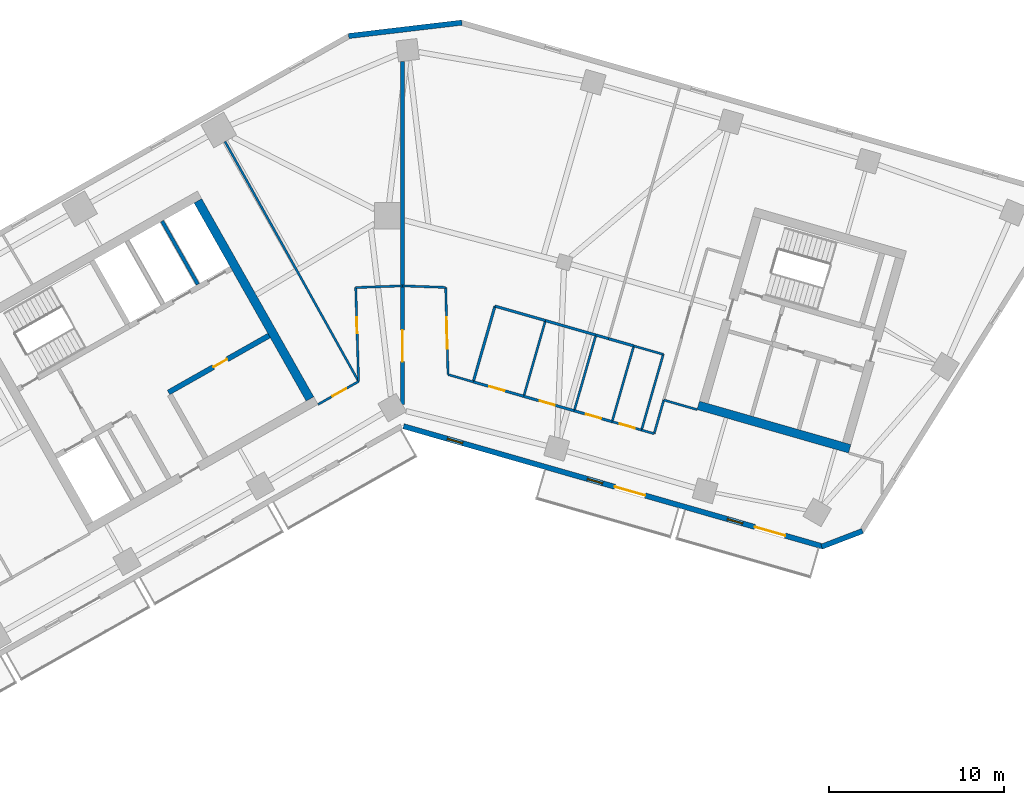
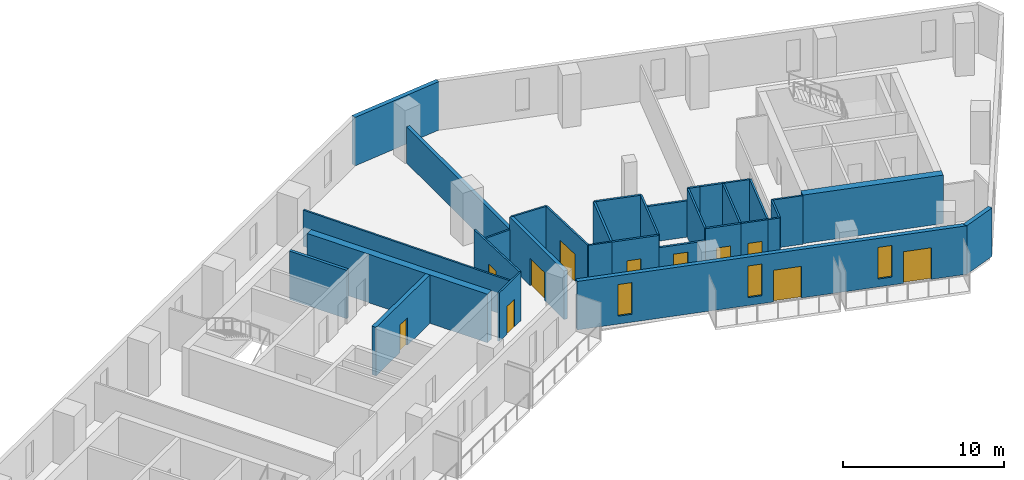
# One storey, part 5 of 9: 33 walls, 11 doors, 3 windows, 14 openings.
"""IFC4 building model written with IfcOpenShell, lengths in metres."""

from ifc_helpers import new_model, si_unit, direction, frame, frame_2d, origin, place, context, subcontext, project, spatial, rectangle, extrude, material, layer, layer_set, type_object, element, fill, save


model = new_model("IFC4")

# Units and contexts
model_context = context("Model", 3, precision=1e-05, world=origin(), true_north=direction((0.0, 1.0)))
body_context = subcontext(model_context, "Body", "Model", "MODEL_VIEW")
ifc_project = project(units=[si_unit("LENGTHUNIT", "METRE"), si_unit("AREAUNIT", "SQUARE_METRE"), si_unit("VOLUMEUNIT", "CUBIC_METRE"), si_unit("PLANEANGLEUNIT", "RADIAN"), si_unit("MASSUNIT", "GRAM", prefix="KILO")], contexts=[model_context])

# Site, building, storey
site_placement = place(None, origin())
site = spatial("IfcSite", under=ifc_project, at=site_placement, CompositionType="ELEMENT")
building_placement = place(site_placement, origin())
building = spatial("IfcBuilding", under=site, at=building_placement, Name="Binnacle Exchange Tower", CompositionType="ELEMENT")
storey_placement = place(building_placement, frame((0.0, 0.0, 158.89990234375)))
storey = spatial("IfcBuildingStorey", under=building, at=storey_placement, Name="L33", CompositionType="ELEMENT", Elevation=158.89990234375)

# Wall, opening, door
ifc_material_1 = material(Name="Concrete C70/85", Category="concrete")
ifc_layer_1 = layer(ifc_material_1, 0.300048828125)
ifc_layer_set_1 = layer_set([ifc_layer_1], Name="Core wall - front 300")
wall_type_1 = type_object("IfcWallType", Name="Core wall - front 300", PredefinedType="SOLIDWALL", material=ifc_layer_set_1)
wall_1_placement = place(storey_placement, frame((-13.364501953125, 49.910888671875, 0.0), z_axis=(0.0, 0.0, 1.0), x_axis=(0.870356769198, 0.492421663121, 0.0)))
wall_1 = element("IfcWall", 1, at=wall_1_placement, inside=storey, type_object=wall_type_1, Name="Core wall CRWC3", PredefinedType="SOLIDWALL", context=body_context, shape_type="SweptSolid", body=[
    extrude(rectangle(XDim=6.60009765625, YDim=0.300048828125, at=frame_2d((3.300048828125, 0.0))), origin(), (0.0, 0.0, 1.0), 3.68017578125),
])
opening_1_placement = place(wall_1_placement, frame((2.949951171875, 0.0, 0.0)))
opening_1 = element("IfcOpeningElement", 2, at=opening_1_placement, cuts=wall_1, Name="Opening DC18", PredefinedType="OPENING", context=body_context, shape_type="SweptSolid", body=[
    extrude(rectangle(XDim=0.89990234375, YDim=2.10009765625, at=frame_2d((0.449951171875, 1.050048828125))), frame((0.0, 0.159912109375, 0.0), z_axis=(0.0, -1.0, 0.0), x_axis=(1.0, 0.0, 0.0)), (0.0, 0.0, 1.0), 0.320068359375),
])
ifc_material_2 = material(Name="Steel door leaf", Category="steel")
door_type_1 = type_object("IfcDoorType", Name="Fire door 900", OperationType="NOTDEFINED", PredefinedType="DOOR", material=ifc_material_2)
door_1_placement = place(opening_1_placement, frame((0.89990234375, 0.0, 0.0), z_axis=(0.0, 0.0, 1.0), x_axis=(-1.0, 0.0, 0.0)))
door_1 = element("IfcDoor", 3, at=door_1_placement, inside=storey, type_object=door_type_1, Name="Core room door SPARES STORE", OperationType="SINGLE_SWING_LEFT", OverallHeight=2.10009765625, OverallWidth=0.89990234375, PredefinedType="DOOR", context=body_context, shape_type="SweptSolid", body=[
    extrude(rectangle(XDim=0.89990234375, YDim=2.10009765625, at=frame_2d((0.449951171875, 1.050048828125))), frame((0.0, 0.02490234375, 0.0), z_axis=(0.0, -1.0, 0.0), x_axis=(1.0, 0.0, 0.0)), (0.0, 0.0, 1.0), 0.050048828125),
])
fill(opening_1, door_1)

# Walls
ifc_layer_2 = layer(ifc_material_1, 0.5)
ifc_layer_set_2 = layer_set([ifc_layer_2], Name="Core wall - outer 500")
wall_type_2 = type_object("IfcWallType", Name="Core wall - outer 500", PredefinedType="SOLIDWALL", material=ifc_layer_set_2)
wall_2_placement = place(storey_placement, frame((-11.686767578125, 60.856201171875, 0.0), z_axis=(0.0, 0.0, 1.0), x_axis=(0.492427267353, -0.870353598469, 0.0)))
element("IfcWall", 4, at=wall_2_placement, inside=storey, type_object=wall_type_2, Name="Core wall CRWC24", PredefinedType="SOLIDWALL", context=body_context, shape_type="SweptSolid", body=[
    extrude(rectangle(XDim=13.0, YDim=0.5, at=frame_2d((6.5, 0.0))), origin(), (0.0, 0.0, 1.0), 3.68017578125),
])
wall_3_placement = place(storey_placement, frame((16.896728515625, 49.173095703125, 0.0), z_axis=(0.0, 0.0, 1.0), x_axis=(0.96126248289, -0.275634611374, 0.0)))
element("IfcWall", 5, at=wall_3_placement, inside=storey, type_object=wall_type_2, Name="Core wall CRWD1", PredefinedType="SOLIDWALL", context=body_context, shape_type="SweptSolid", body=[
    extrude(rectangle(XDim=9.0, YDim=0.5, at=frame_2d((4.5, 0.0))), origin(), (0.0, 0.0, 1.0), 3.68017578125),
])

# Wall, openings, doors, windows
ifc_material_3 = material(Name="Bronze aluminium cladding", Category="aluminium")
ifc_layer_3 = layer(ifc_material_3, 0.300048828125)
ifc_layer_set_3 = layer_set([ifc_layer_3], Name="External wall - spandrel 300")
wall_type_3 = type_object("IfcWallType", Name="External wall - spandrel 300", PredefinedType="STANDARD", material=ifc_layer_set_3)
wall_4_placement = place(storey_placement, frame((24.04248046875, 41.10595703125, 0.0), z_axis=(0.0, 0.0, 1.0), x_axis=(-0.961261693976, 0.275637362661, 0.0)))
wall_4 = element("IfcWall", 6, at=wall_4_placement, inside=storey, type_object=wall_type_3, Name="External wall EW-G02 L33", PredefinedType="STANDARD", context=body_context, shape_type="SweptSolid", body=[
    extrude(rectangle(XDim=24.948486328125, YDim=0.300048828125, at=frame_2d((12.47412109375, 0.0))), origin(), (0.0, 0.0, 1.0), 3.68017578125),
])
opening_2_placement = place(wall_4_placement, frame((21.441162109375, 0.0, 0.60009765625)))
opening_2 = element("IfcOpeningElement", 7, at=opening_2_placement, cuts=wall_4, Name="Opening WS3", PredefinedType="OPENING", context=body_context, shape_type="SweptSolid", body=[
    extrude(rectangle(XDim=0.89990234375, YDim=2.39990234375, at=frame_2d((0.449951171875, 1.199951171875))), frame((0.0, 0.159912109375, 0.0), z_axis=(0.0, -1.0, 0.0), x_axis=(1.0, 0.0, 0.0)), (0.0, 0.0, 1.0), 0.320068359375),
])
opening_3_placement = place(wall_4_placement, frame((13.120849609375, 0.0, 0.60009765625)))
opening_3 = element("IfcOpeningElement", 8, at=opening_3_placement, cuts=wall_4, Name="Opening WS3", PredefinedType="OPENING", context=body_context, shape_type="SweptSolid", body=[
    extrude(rectangle(XDim=0.89990234375, YDim=2.39990234375, at=frame_2d((0.449951171875, 1.199951171875))), frame((0.0, 0.159912109375, 0.0), z_axis=(0.0, -1.0, 0.0), x_axis=(1.0, 0.0, 0.0)), (0.0, 0.0, 1.0), 0.320068359375),
])
opening_4_placement = place(wall_4_placement, frame((10.5908203125, 0.0, 0.0)))
opening_4 = element("IfcOpeningElement", 9, at=opening_4_placement, cuts=wall_4, Name="Opening D-FS11-06", PredefinedType="OPENING", context=body_context, shape_type="SweptSolid", body=[
    extrude(rectangle(XDim=1.800048828125, YDim=2.39990234375, at=frame_2d((0.89990234375, 1.199951171875))), frame((0.0, 0.159912109375, 0.0), z_axis=(0.0, -1.0, 0.0), x_axis=(1.0, 0.0, 0.0)), (0.0, 0.0, 1.0), 0.320068359375),
])
opening_5_placement = place(wall_4_placement, frame((4.80029296875, 0.0, 0.60009765625)))
opening_5 = element("IfcOpeningElement", 10, at=opening_5_placement, cuts=wall_4, Name="Opening WS3", PredefinedType="OPENING", context=body_context, shape_type="SweptSolid", body=[
    extrude(rectangle(XDim=0.89990234375, YDim=2.39990234375, at=frame_2d((0.449951171875, 1.199951171875))), frame((0.0, 0.159912109375, 0.0), z_axis=(0.0, -1.0, 0.0), x_axis=(1.0, 0.0, 0.0)), (0.0, 0.0, 1.0), 0.320068359375),
])
opening_6_placement = place(wall_4_placement, frame((2.270263671875, 0.0, 0.0)))
opening_6 = element("IfcOpeningElement", 11, at=opening_6_placement, cuts=wall_4, Name="Opening D-FS11-07", PredefinedType="OPENING", context=body_context, shape_type="SweptSolid", body=[
    extrude(rectangle(XDim=1.800048828125, YDim=2.39990234375, at=frame_2d((0.89990234375, 1.199951171875))), frame((0.0, 0.159912109375, 0.0), z_axis=(0.0, -1.0, 0.0), x_axis=(1.0, 0.0, 0.0)), (0.0, 0.0, 1.0), 0.320068359375),
])
ifc_material_4 = material(Name="Bronze anodised aluminium frame", Category="aluminium")
door_type_2 = type_object("IfcDoorType", Name="DB DOOR 1800x2400", OperationType="DOUBLE_DOOR_SINGLE_SWING", PredefinedType="DOOR", material=ifc_material_4)
door_2_placement = place(opening_4_placement, origin())
door_2 = element("IfcDoor", 12, at=door_2_placement, inside=storey, type_object=door_type_2, Name="Door D-FS11-06 L33", OperationType="DOUBLE_DOOR_SINGLE_SWING", OverallHeight=2.39990234375, OverallWidth=1.800048828125, PredefinedType="DOOR", context=body_context, shape_type="SweptSolid", body=[
    extrude(rectangle(XDim=1.800048828125, YDim=2.39990234375, at=frame_2d((0.89990234375, 1.199951171875))), frame((0.0, 0.02490234375, 0.0), z_axis=(0.0, -1.0, 0.0), x_axis=(1.0, 0.0, 0.0)), (0.0, 0.0, 1.0), 0.050048828125),
])
fill(opening_4, door_2)
door_3_placement = place(opening_6_placement, origin())
door_3 = element("IfcDoor", 13, at=door_3_placement, inside=storey, type_object=door_type_2, Name="Door D-FS11-07 L33", OperationType="DOUBLE_DOOR_SINGLE_SWING", OverallHeight=2.39990234375, OverallWidth=1.800048828125, PredefinedType="DOOR", context=body_context, shape_type="SweptSolid", body=[
    extrude(rectangle(XDim=1.800048828125, YDim=2.39990234375, at=frame_2d((0.89990234375, 1.199951171875))), frame((0.0, 0.02490234375, 0.0), z_axis=(0.0, -1.0, 0.0), x_axis=(1.0, 0.0, 0.0)), (0.0, 0.0, 1.0), 0.050048828125),
])
fill(opening_6, door_3)
window_type = type_object("IfcWindowType", Name="WS3 WINDOW 900x2400", PartitioningType="SINGLE_PANEL", PredefinedType="WINDOW", material=ifc_material_4)
window_1_placement = place(opening_2_placement, origin())
window_1 = element("IfcWindow", 14, at=window_1_placement, inside=storey, type_object=window_type, Name="Window WS3 L33", OverallHeight=2.39990234375, OverallWidth=0.89990234375, PartitioningType="SINGLE_PANEL", PredefinedType="WINDOW", context=body_context, shape_type="SweptSolid", body=[
    extrude(rectangle(XDim=0.89990234375, YDim=2.39990234375, at=frame_2d((0.449951171875, 1.199951171875))), frame((0.0, 0.030029296875, 0.0), z_axis=(0.0, -1.0, 0.0), x_axis=(1.0, 0.0, 0.0)), (0.0, 0.0, 1.0), 0.06005859375),
])
fill(opening_2, window_1)
window_2_placement = place(opening_3_placement, origin())
window_2 = element("IfcWindow", 15, at=window_2_placement, inside=storey, type_object=window_type, Name="Window WS3 L33", OverallHeight=2.39990234375, OverallWidth=0.89990234375, PartitioningType="SINGLE_PANEL", PredefinedType="WINDOW", context=body_context, shape_type="SweptSolid", body=[
    extrude(rectangle(XDim=0.89990234375, YDim=2.39990234375, at=frame_2d((0.449951171875, 1.199951171875))), frame((0.0, 0.030029296875, 0.0), z_axis=(0.0, -1.0, 0.0), x_axis=(1.0, 0.0, 0.0)), (0.0, 0.0, 1.0), 0.06005859375),
])
fill(opening_3, window_2)
window_3_placement = place(opening_5_placement, origin())
window_3 = element("IfcWindow", 16, at=window_3_placement, inside=storey, type_object=window_type, Name="Window WS3 L33", OverallHeight=2.39990234375, OverallWidth=0.89990234375, PartitioningType="SINGLE_PANEL", PredefinedType="WINDOW", context=body_context, shape_type="SweptSolid", body=[
    extrude(rectangle(XDim=0.89990234375, YDim=2.39990234375, at=frame_2d((0.449951171875, 1.199951171875))), frame((0.0, 0.030029296875, 0.0), z_axis=(0.0, -1.0, 0.0), x_axis=(1.0, 0.0, 0.0)), (0.0, 0.0, 1.0), 0.06005859375),
])
fill(opening_5, window_3)

# Walls
wall_5_placement = place(storey_placement, frame((26.27783203125, 41.996337890625, 0.0), z_axis=(0.0, 0.0, 1.0), x_axis=(-0.933592404159, -0.358336745112, 0.0)))
element("IfcWall", 17, at=wall_5_placement, inside=storey, type_object=wall_type_3, Name="External wall EW-G03 L33", PredefinedType="STANDARD", context=body_context, shape_type="SweptSolid", body=[
    extrude(rectangle(XDim=2.496337890625, YDim=0.300048828125, at=frame_2d((1.248046875, 0.0))), origin(), (0.0, 0.0, 1.0), 3.68017578125),
])
wall_6_placement = place(storey_placement, frame((-3.076171875, 70.27294921875, 0.0), z_axis=(0.0, 0.0, 1.0), x_axis=(0.993067743007, 0.117543429416, 0.0)))
element("IfcWall", 18, at=wall_6_placement, inside=storey, type_object=wall_type_3, Name="External wall EW-G07 L33", PredefinedType="STANDARD", context=body_context, shape_type="SweptSolid", body=[
    extrude(rectangle(XDim=6.515625, YDim=0.300048828125, at=frame_2d((3.2578125, 0.0))), origin(), (0.0, 0.0, 1.0), 3.68017578125),
])

# Wall, opening, door
ifc_material_5 = material(Name="Concrete fire wall C30/37", Category="concrete")
ifc_layer_4 = layer(ifc_material_5, 0.25)
ifc_layer_set_4 = layer_set([ifc_layer_4], Name="Fire wall - compartment 250")
wall_type_4 = type_object("IfcWallType", Name="Fire wall - compartment 250", PredefinedType="PARTITIONING", material=ifc_layer_set_4)
wall_7_placement = place(storey_placement, frame((0.0, 49.218994140625, 0.0), z_axis=(0.0, 0.0, 1.0), x_axis=(0.0, 1.0, 0.0)))
wall_7 = element("IfcWall", 19, at=wall_7_placement, inside=storey, type_object=wall_type_4, Name="Fire Wall W12", PredefinedType="PARTITIONING", context=body_context, shape_type="SweptSolid", body=[
    extrude(rectangle(XDim=6.781005859375, YDim=0.25, at=frame_2d((3.390625, 0.0))), origin(), (0.0, 0.0, 1.0), 3.68017578125),
])
opening_7_placement = place(wall_7_placement, frame((2.449951171875, 0.0, 0.0)))
opening_7 = element("IfcOpeningElement", 20, at=opening_7_placement, cuts=wall_7, Name="Opening DL32-12", PredefinedType="OPENING", context=body_context, shape_type="SweptSolid", body=[
    extrude(rectangle(XDim=1.800048828125, YDim=2.10009765625, at=frame_2d((0.89990234375, 1.050048828125))), frame((0.0, 0.135009765625, 0.0), z_axis=(0.0, -1.0, 0.0), x_axis=(1.0, 0.0, 0.0)), (0.0, 0.0, 1.0), 0.27001953125),
])
door_type_3 = type_object("IfcDoorType", Name="Fire door 1800", OperationType="NOTDEFINED", PredefinedType="DOOR", material=ifc_material_2)
door_4_placement = place(opening_7_placement, origin())
door_4 = element("IfcDoor", 21, at=door_4_placement, inside=storey, type_object=door_type_3, Name="Door DL32-12", OperationType="DOUBLE_DOOR_SINGLE_SWING", OverallHeight=2.10009765625, OverallWidth=1.800048828125, PredefinedType="DOOR", context=body_context, shape_type="SweptSolid", body=[
    extrude(rectangle(XDim=1.800048828125, YDim=2.10009765625, at=frame_2d((0.89990234375, 1.050048828125))), frame((0.0, 0.02490234375, 0.0), z_axis=(0.0, -1.0, 0.0), x_axis=(1.0, 0.0, 0.0)), (0.0, 0.0, 1.0), 0.050048828125),
])
fill(opening_7, door_4)

# Walls
wall_8_placement = place(storey_placement, frame((0.0, 56.0, 0.0), z_axis=(0.0, 0.0, 1.0), x_axis=(0.0, 1.0, 0.0)))
element("IfcWall", 22, at=wall_8_placement, inside=storey, type_object=wall_type_4, Name="Fire Wall W13", PredefinedType="PARTITIONING", context=body_context, shape_type="SweptSolid", body=[
    extrude(rectangle(XDim=12.823974609375, YDim=0.25, at=frame_2d((6.412109375, 0.0))), origin(), (0.0, 0.0, 1.0), 2.748046875),
])
ifc_material_6 = material(Name="Gypsum partition fire rated")
ifc_layer_5 = layer(ifc_material_6, 0.14990234375)
ifc_layer_set_5 = layer_set([ifc_layer_5], Name="Fire-rated partition 150")
wall_type_5 = type_object("IfcWallType", Name="Fire-rated partition 150", PredefinedType="PARTITIONING", material=ifc_layer_set_5)
wall_9_placement = place(storey_placement, frame((4.04296875, 50.51806640625, 0.0), z_axis=(0.0, 0.0, 1.0), x_axis=(0.275745553681, 0.96123066411, 0.0)))
element("IfcWall", 23, at=wall_9_placement, inside=storey, type_object=wall_type_5, Name="Partition W17", PredefinedType="PARTITIONING", context=body_context, shape_type="SweptSolid", body=[
    extrude(rectangle(XDim=4.50048828125, YDim=0.14990234375, at=frame_2d((2.250244140625, 0.0))), origin(), (0.0, 0.0, 1.0), 3.68017578125),
])

# Wall, opening, door
wall_10_placement = place(storey_placement, frame((4.04296875, 50.51806640625, 0.0), z_axis=(0.0, 0.0, 1.0), x_axis=(0.961247103494, -0.275688240636, 0.0)))
wall_10 = element("IfcWall", 24, at=wall_10_placement, inside=storey, type_object=wall_type_5, Name="Partition W18", PredefinedType="PARTITIONING", context=body_context, shape_type="SweptSolid", body=[
    extrude(rectangle(XDim=3.000244140625, YDim=0.14990234375, at=frame_2d((1.5, 0.0))), origin(), (0.0, 0.0, 1.0), 3.68017578125),
])
opening_8_placement = place(wall_10_placement, frame((0.949951171875, 0.0, 0.0)))
opening_8 = element("IfcOpeningElement", 25, at=opening_8_placement, cuts=wall_10, Name="Opening DL32-06", PredefinedType="OPENING", context=body_context, shape_type="SweptSolid", body=[
    extrude(rectangle(XDim=0.89990234375, YDim=2.10009765625, at=frame_2d((0.449951171875, 1.050048828125))), frame((0.0, 0.0849609375, 0.0), z_axis=(0.0, -1.0, 0.0), x_axis=(1.0, 0.0, 0.0)), (0.0, 0.0, 1.0), 0.169921875),
])
door_5_placement = place(opening_8_placement, origin())
door_5 = element("IfcDoor", 26, at=door_5_placement, inside=storey, type_object=door_type_1, Name="Door DL32-06", OperationType="SINGLE_SWING_LEFT", OverallHeight=2.10009765625, OverallWidth=0.89990234375, PredefinedType="DOOR", context=body_context, shape_type="SweptSolid", body=[
    extrude(rectangle(XDim=0.89990234375, YDim=2.10009765625, at=frame_2d((0.449951171875, 1.050048828125))), frame((0.0, 0.02490234375, 0.0), z_axis=(0.0, -1.0, 0.0), x_axis=(1.0, 0.0, 0.0)), (0.0, 0.0, 1.0), 0.050048828125),
])
fill(opening_8, door_5)

# Wall
wall_11_placement = place(storey_placement, frame((5.283935546875, 54.843994140625, 0.0), z_axis=(0.0, 0.0, 1.0), x_axis=(0.961243927922, -0.275699312717, 0.0)))
element("IfcWall", 27, at=wall_11_placement, inside=storey, type_object=wall_type_5, Name="Partition W19", PredefinedType="PARTITIONING", context=body_context, shape_type="SweptSolid", body=[
    extrude(rectangle(XDim=2.999267578125, YDim=0.14990234375, at=frame_2d((1.49951171875, 0.0))), origin(), (0.0, 0.0, 1.0), 3.68017578125),
])

# Wall, opening, door
wall_12_placement = place(storey_placement, frame((6.927001953125, 49.69091796875, 0.0), z_axis=(0.0, 0.0, 1.0), x_axis=(0.961268664977, -0.27561305073, 0.0)))
wall_12 = element("IfcWall", 28, at=wall_12_placement, inside=storey, type_object=wall_type_5, Name="Partition W21", PredefinedType="PARTITIONING", context=body_context, shape_type="SweptSolid", body=[
    extrude(rectangle(XDim=3.000244140625, YDim=0.14990234375, at=frame_2d((1.5, 0.0))), origin(), (0.0, 0.0, 1.0), 2.748046875),
])
opening_9_placement = place(wall_12_placement, frame((0.949951171875, 0.0, 0.0)))
opening_9 = element("IfcOpeningElement", 29, at=opening_9_placement, cuts=wall_12, Name="Opening DL32-07", PredefinedType="OPENING", context=body_context, shape_type="SweptSolid", body=[
    extrude(rectangle(XDim=0.89990234375, YDim=2.10009765625, at=frame_2d((0.449951171875, 1.050048828125))), frame((0.0, 0.0849609375, 0.0), z_axis=(0.0, -1.0, 0.0), x_axis=(1.0, 0.0, 0.0)), (0.0, 0.0, 1.0), 0.169921875),
])
door_6_placement = place(opening_9_placement, origin())
door_6 = element("IfcDoor", 30, at=door_6_placement, inside=storey, type_object=door_type_1, Name="Door DL32-07", OperationType="SINGLE_SWING_LEFT", OverallHeight=2.10009765625, OverallWidth=0.89990234375, PredefinedType="DOOR", context=body_context, shape_type="SweptSolid", body=[
    extrude(rectangle(XDim=0.89990234375, YDim=2.10009765625, at=frame_2d((0.449951171875, 1.050048828125))), frame((0.0, 0.02490234375, 0.0), z_axis=(0.0, -1.0, 0.0), x_axis=(1.0, 0.0, 0.0)), (0.0, 0.0, 1.0), 0.050048828125),
])
fill(opening_9, door_6)

# Wall
wall_13_placement = place(storey_placement, frame((8.1669921875, 54.01708984375, 0.0), z_axis=(0.0, 0.0, 1.0), x_axis=(0.961247103494, -0.275688240636, 0.0)))
element("IfcWall", 31, at=wall_13_placement, inside=storey, type_object=wall_type_5, Name="Partition W22", PredefinedType="PARTITIONING", context=body_context, shape_type="SweptSolid", body=[
    extrude(rectangle(XDim=3.000244140625, YDim=0.14990234375, at=frame_2d((1.5, 0.0))), origin(), (0.0, 0.0, 1.0), 2.748046875),
])

# Wall, opening, door
wall_14_placement = place(storey_placement, frame((9.81103515625, 48.864013671875, 0.0), z_axis=(0.0, 0.0, 1.0), x_axis=(0.961236680145, -0.275724581318, 0.0)))
wall_14 = element("IfcWall", 32, at=wall_14_placement, inside=storey, type_object=wall_type_5, Name="Partition W24", PredefinedType="PARTITIONING", context=body_context, shape_type="SweptSolid", body=[
    extrude(rectangle(XDim=2.2490234375, YDim=0.14990234375, at=frame_2d((1.12451171875, 0.0))), origin(), (0.0, 0.0, 1.0), 3.68017578125),
])
opening_10_placement = place(wall_14_placement, frame((0.699951171875, 0.0, 0.0)))
opening_10 = element("IfcOpeningElement", 33, at=opening_10_placement, cuts=wall_14, Name="Opening DL32-08", PredefinedType="OPENING", context=body_context, shape_type="SweptSolid", body=[
    extrude(rectangle(XDim=0.89990234375, YDim=2.10009765625, at=frame_2d((0.449951171875, 1.050048828125))), frame((0.0, 0.0849609375, 0.0), z_axis=(0.0, -1.0, 0.0), x_axis=(1.0, 0.0, 0.0)), (0.0, 0.0, 1.0), 0.169921875),
])
door_7_placement = place(opening_10_placement, origin())
door_7 = element("IfcDoor", 34, at=door_7_placement, inside=storey, type_object=door_type_1, Name="Door DL32-08", OperationType="SINGLE_SWING_RIGHT", OverallHeight=2.10009765625, OverallWidth=0.89990234375, PredefinedType="DOOR", context=body_context, shape_type="SweptSolid", body=[
    extrude(rectangle(XDim=0.89990234375, YDim=2.10009765625, at=frame_2d((0.449951171875, 1.050048828125))), frame((0.0, 0.02490234375, 0.0), z_axis=(0.0, -1.0, 0.0), x_axis=(1.0, 0.0, 0.0)), (0.0, 0.0, 1.0), 0.050048828125),
])
fill(opening_10, door_7)

# Walls
wall_15_placement = place(storey_placement, frame((11.051025390625, 53.18994140625, 0.0), z_axis=(0.0, 0.0, 1.0), x_axis=(0.961154610169, -0.276010534854, 0.0)))
element("IfcWall", 35, at=wall_15_placement, inside=storey, type_object=wall_type_5, Name="Partition W25", PredefinedType="PARTITIONING", context=body_context, shape_type="SweptSolid", body=[
    extrude(rectangle(XDim=0.75, YDim=0.14990234375, at=frame_2d((0.375, 0.0))), origin(), (0.0, 0.0, 1.0), 3.68017578125),
])
wall_16_placement = place(storey_placement, frame((11.77197265625, 52.98291015625, 0.0), z_axis=(0.0, 0.0, 1.0), x_axis=(0.961382563126, -0.275215492508, 0.0)))
element("IfcWall", 36, at=wall_16_placement, inside=storey, type_object=wall_type_5, Name="Partition W26", PredefinedType="PARTITIONING", context=body_context, shape_type="SweptSolid", body=[
    extrude(rectangle(XDim=1.5, YDim=0.14990234375, at=frame_2d((0.75, 0.0))), origin(), (0.0, 0.0, 1.0), 3.68017578125),
])
ifc_material_7 = material(Name="Gypsum partition")
ifc_layer_6 = layer(ifc_material_7, 0.125)
ifc_layer_set_6 = layer_set([ifc_layer_6], Name="Partition 125")
wall_type_6 = type_object("IfcWallType", Name="Partition 125", PredefinedType="PARTITIONING", material=ifc_layer_set_6)
wall_17_placement = place(storey_placement, frame((-10.136962890625, 64.242919921875, 0.0), z_axis=(0.0, 0.0, 1.0), x_axis=(0.486452862603, -0.873706822948, 0.0)))
element("IfcWall", 37, at=wall_17_placement, inside=storey, type_object=wall_type_6, Name="Partition W08", PredefinedType="PARTITIONING", context=body_context, shape_type="SweptSolid", body=[
    extrude(rectangle(XDim=15.684814453125, YDim=0.125, at=frame_2d((7.84228515625, 0.0))), origin(), (0.0, 0.0, 1.0), 2.748046875),
])

# Wall, opening, door
wall_18_placement = place(storey_placement, frame((-4.821044921875, 49.22998046875, 0.0), z_axis=(0.0, 0.0, 1.0), x_axis=(0.870371217631, 0.492396124598, 0.0)))
wall_18 = element("IfcWall", 38, at=wall_18_placement, inside=storey, type_object=wall_type_6, Name="Partition W09", PredefinedType="PARTITIONING", context=body_context, shape_type="SweptSolid", body=[
    extrude(rectangle(XDim=2.65869140625, YDim=0.125, at=frame_2d((1.329345703125, 0.0))), origin(), (0.0, 0.0, 1.0), 3.68017578125),
])
opening_11_placement = place(wall_18_placement, frame((0.949951171875, 0.0, 0.0)))
opening_11 = element("IfcOpeningElement", 39, at=opening_11_placement, cuts=wall_18, Name="Opening DL32-04", PredefinedType="OPENING", context=body_context, shape_type="SweptSolid", body=[
    extrude(rectangle(XDim=0.89990234375, YDim=2.10009765625, at=frame_2d((0.449951171875, 1.050048828125))), frame((0.0, 0.072509765625, 0.0), z_axis=(0.0, -1.0, 0.0), x_axis=(1.0, 0.0, 0.0)), (0.0, 0.0, 1.0), 0.14501953125),
])
ifc_material_8 = material(Name="Timber door leaf", Category="wood")
door_type_4 = type_object("IfcDoorType", Name="Door 900", OperationType="NOTDEFINED", PredefinedType="DOOR", material=ifc_material_8)
door_8_placement = place(opening_11_placement, origin())
door_8 = element("IfcDoor", 40, at=door_8_placement, inside=storey, type_object=door_type_4, Name="Door DL32-04", OperationType="SINGLE_SWING_RIGHT", OverallHeight=2.10009765625, OverallWidth=0.89990234375, PredefinedType="DOOR", context=body_context, shape_type="SweptSolid", body=[
    extrude(rectangle(XDim=0.89990234375, YDim=2.10009765625, at=frame_2d((0.449951171875, 1.050048828125))), frame((0.0, 0.02490234375, 0.0), z_axis=(0.0, -1.0, 0.0), x_axis=(1.0, 0.0, 0.0)), (0.0, 0.0, 1.0), 0.050048828125),
])
fill(opening_11, door_8)

wall_19_placement = place(storey_placement, frame((-2.669921875, 55.904052734375, 0.0), z_axis=(0.0, 0.0, 1.0), x_axis=(0.030338701418, -0.999539675649, 0.0)))
wall_19 = element("IfcWall", 41, at=wall_19_placement, inside=storey, type_object=wall_type_6, Name="Partition W10", PredefinedType="PARTITIONING", context=body_context, shape_type="SweptSolid", body=[
    extrude(rectangle(XDim=5.367431640625, YDim=0.125, at=frame_2d((2.68359375, 0.0))), origin(), (0.0, 0.0, 1.0), 3.68017578125),
])
opening_12_placement = place(wall_19_placement, frame((1.699951171875, 0.0, 0.0)))
opening_12 = element("IfcOpeningElement", 42, at=opening_12_placement, cuts=wall_19, Name="Opening DL32-05", PredefinedType="OPENING", context=body_context, shape_type="SweptSolid", body=[
    extrude(rectangle(XDim=0.89990234375, YDim=2.10009765625, at=frame_2d((0.449951171875, 1.050048828125))), frame((0.0, 0.072509765625, 0.0), z_axis=(0.0, -1.0, 0.0), x_axis=(1.0, 0.0, 0.0)), (0.0, 0.0, 1.0), 0.14501953125),
])
door_9_placement = place(opening_12_placement, frame((0.89990234375, 0.0, 0.0), z_axis=(0.0, 0.0, 1.0), x_axis=(-1.0, 0.0, 0.0)))
door_9 = element("IfcDoor", 43, at=door_9_placement, inside=storey, type_object=door_type_4, Name="Door DL32-05", OperationType="SINGLE_SWING_RIGHT", OverallHeight=2.10009765625, OverallWidth=0.89990234375, PredefinedType="DOOR", context=body_context, shape_type="SweptSolid", body=[
    extrude(rectangle(XDim=0.89990234375, YDim=2.10009765625, at=frame_2d((0.449951171875, 1.050048828125))), frame((0.0, 0.02490234375, 0.0), z_axis=(0.0, -1.0, 0.0), x_axis=(1.0, 0.0, 0.0)), (0.0, 0.0, 1.0), 0.050048828125),
])
fill(opening_12, door_9)

# Walls
wall_20_placement = place(storey_placement, frame((-2.669921875, 55.904052734375, 0.0), z_axis=(0.0, 0.0, 1.0), x_axis=(0.999354913865, 0.03591317494, 0.0)))
element("IfcWall", 44, at=wall_20_placement, inside=storey, type_object=wall_type_6, Name="Partition W11", PredefinedType="PARTITIONING", context=body_context, shape_type="SweptSolid", body=[
    extrude(rectangle(XDim=2.671630859375, YDim=0.125, at=frame_2d((1.3359375, 0.0))), origin(), (0.0, 0.0, 1.0), 2.748046875),
])
wall_21_placement = place(storey_placement, frame((0.0, 56.0, 0.0), z_axis=(0.0, 0.0, 1.0), x_axis=(0.999349313684, -0.036068673934, 0.0)))
element("IfcWall", 45, at=wall_21_placement, inside=storey, type_object=wall_type_6, Name="Partition W14", PredefinedType="PARTITIONING", context=body_context, shape_type="SweptSolid", body=[
    extrude(rectangle(XDim=2.470703125, YDim=0.125, at=frame_2d((1.2353515625, 0.0))), origin(), (0.0, 0.0, 1.0), 3.68017578125),
])

# Wall, opening, door
wall_22_placement = place(storey_placement, frame((2.468994140625, 55.910888671875, 0.0), z_axis=(0.0, 0.0, 1.0), x_axis=(0.02651808123, -0.999648333849, 0.0)))
wall_22 = element("IfcWall", 46, at=wall_22_placement, inside=storey, type_object=wall_type_6, Name="Partition W15", PredefinedType="PARTITIONING", context=body_context, shape_type="SweptSolid", body=[
    extrude(rectangle(XDim=4.980712890625, YDim=0.125, at=frame_2d((2.490234375, 0.0))), origin(), (0.0, 0.0, 1.0), 3.68017578125),
])
opening_13_placement = place(wall_22_placement, frame((1.699951171875, 0.0, 0.0)))
opening_13 = element("IfcOpeningElement", 47, at=opening_13_placement, cuts=wall_22, Name="Opening DL32-10", PredefinedType="OPENING", context=body_context, shape_type="SweptSolid", body=[
    extrude(rectangle(XDim=1.800048828125, YDim=2.10009765625, at=frame_2d((0.89990234375, 1.050048828125))), frame((0.0, 0.072509765625, 0.0), z_axis=(0.0, -1.0, 0.0), x_axis=(1.0, 0.0, 0.0)), (0.0, 0.0, 1.0), 0.14501953125),
])
door_type_5 = type_object("IfcDoorType", Name="Double door 1800", OperationType="NOTDEFINED", PredefinedType="DOOR", material=ifc_material_8)
door_10_placement = place(opening_13_placement, origin())
door_10 = element("IfcDoor", 48, at=door_10_placement, inside=storey, type_object=door_type_5, Name="Door DL32-10", OperationType="DOUBLE_DOOR_SINGLE_SWING", OverallHeight=2.10009765625, OverallWidth=1.800048828125, PredefinedType="DOOR", context=body_context, shape_type="SweptSolid", body=[
    extrude(rectangle(XDim=1.800048828125, YDim=2.10009765625, at=frame_2d((0.89990234375, 1.050048828125))), frame((0.0, 0.02490234375, 0.0), z_axis=(0.0, -1.0, 0.0), x_axis=(1.0, 0.0, 0.0)), (0.0, 0.0, 1.0), 0.050048828125),
])
fill(opening_13, door_10)

# Walls
wall_23_placement = place(storey_placement, frame((2.60107421875, 50.931884765625, 0.0), z_axis=(0.0, 0.0, 1.0), x_axis=(0.961197773994, -0.27586018065, 0.0)))
element("IfcWall", 49, at=wall_23_placement, inside=storey, type_object=wall_type_6, Name="Partition W16", PredefinedType="PARTITIONING", context=body_context, shape_type="SweptSolid", body=[
    extrude(rectangle(XDim=1.5, YDim=0.125, at=frame_2d((0.75, 0.0))), origin(), (0.0, 0.0, 1.0), 3.68017578125),
])
wall_24_placement = place(storey_placement, frame((6.927001953125, 49.69091796875, 0.0), z_axis=(0.0, 0.0, 1.0), x_axis=(0.275530671241, 0.961292280841, 0.0)))
element("IfcWall", 50, at=wall_24_placement, inside=storey, type_object=wall_type_6, Name="Partition W20", PredefinedType="PARTITIONING", context=body_context, shape_type="SweptSolid", body=[
    extrude(rectangle(XDim=4.50048828125, YDim=0.125, at=frame_2d((2.250244140625, 0.0))), origin(), (0.0, 0.0, 1.0), 3.68017578125),
])
wall_25_placement = place(storey_placement, frame((9.81103515625, 48.864013671875, 0.0), z_axis=(0.0, 0.0, 1.0), x_axis=(0.275545040649, 0.96128816209, 0.0)))
element("IfcWall", 51, at=wall_25_placement, inside=storey, type_object=wall_type_6, Name="Partition W23", PredefinedType="PARTITIONING", context=body_context, shape_type="SweptSolid", body=[
    extrude(rectangle(XDim=4.500244140625, YDim=0.125, at=frame_2d((2.25, 0.0))), origin(), (0.0, 0.0, 1.0), 3.68017578125),
])
wall_26_placement = place(storey_placement, frame((11.972900390625, 48.243896484375, 0.0), z_axis=(0.0, 0.0, 1.0), x_axis=(0.275781295989, 0.961220410095, 0.0)))
element("IfcWall", 52, at=wall_26_placement, inside=storey, type_object=wall_type_6, Name="Partition W28", PredefinedType="PARTITIONING", context=body_context, shape_type="SweptSolid", body=[
    extrude(rectangle(XDim=4.500732421875, YDim=0.125, at=frame_2d((2.25048828125, 0.0))), origin(), (0.0, 0.0, 1.0), 3.68017578125),
])

# Wall, opening, door
wall_27_placement = place(storey_placement, frame((11.972900390625, 48.243896484375, 0.0), z_axis=(0.0, 0.0, 1.0), x_axis=(0.96136592135, -0.275273618907, 0.0)))
wall_27 = element("IfcWall", 53, at=wall_27_placement, inside=storey, type_object=wall_type_6, Name="Partition W29", PredefinedType="PARTITIONING", context=body_context, shape_type="SweptSolid", body=[
    extrude(rectangle(XDim=1.750732421875, YDim=0.125, at=frame_2d((0.87548828125, 0.0))), origin(), (0.0, 0.0, 1.0), 3.68017578125),
])
opening_14_placement = place(wall_27_placement, frame((0.449951171875, 0.0, 0.0)))
opening_14 = element("IfcOpeningElement", 54, at=opening_14_placement, cuts=wall_27, Name="Opening DL32-09", PredefinedType="OPENING", context=body_context, shape_type="SweptSolid", body=[
    extrude(rectangle(XDim=0.89990234375, YDim=2.10009765625, at=frame_2d((0.449951171875, 1.050048828125))), frame((0.0, 0.072509765625, 0.0), z_axis=(0.0, -1.0, 0.0), x_axis=(1.0, 0.0, 0.0)), (0.0, 0.0, 1.0), 0.14501953125),
])
door_11_placement = place(opening_14_placement, origin())
door_11 = element("IfcDoor", 55, at=door_11_placement, inside=storey, type_object=door_type_4, Name="Door DL32-09", OperationType="SINGLE_SWING_RIGHT", OverallHeight=2.10009765625, OverallWidth=0.89990234375, PredefinedType="DOOR", context=body_context, shape_type="SweptSolid", body=[
    extrude(rectangle(XDim=0.89990234375, YDim=2.10009765625, at=frame_2d((0.449951171875, 1.050048828125))), frame((0.0, 0.02490234375, 0.0), z_axis=(0.0, -1.0, 0.0), x_axis=(1.0, 0.0, 0.0)), (0.0, 0.0, 1.0), 0.050048828125),
])
fill(opening_14, door_11)

# Walls
wall_28_placement = place(storey_placement, frame((13.214111328125, 52.570068359375, 0.0), z_axis=(0.0, 0.0, 1.0), x_axis=(0.961276075309, -0.275587204055, 0.0)))
element("IfcWall", 56, at=wall_28_placement, inside=storey, type_object=wall_type_6, Name="Partition W30", PredefinedType="PARTITIONING", context=body_context, shape_type="SweptSolid", body=[
    extrude(rectangle(XDim=1.749755859375, YDim=0.125, at=frame_2d((0.875, 0.0))), origin(), (0.0, 0.0, 1.0), 3.68017578125),
])
wall_29_placement = place(storey_placement, frame((13.656005859375, 47.761962890625, 0.0), z_axis=(0.0, 0.0, 1.0), x_axis=(0.961154610169, -0.276010534854, 0.0)))
element("IfcWall", 57, at=wall_29_placement, inside=storey, type_object=wall_type_6, Name="Partition W31", PredefinedType="PARTITIONING", context=body_context, shape_type="SweptSolid", body=[
    extrude(rectangle(XDim=0.75, YDim=0.125, at=frame_2d((0.375, 0.0))), origin(), (0.0, 0.0, 1.0), 3.68017578125),
])
wall_30_placement = place(storey_placement, frame((13.656005859375, 47.761962890625, 0.0), z_axis=(0.0, 0.0, 1.0), x_axis=(0.275545040649, 0.96128816209, 0.0)))
element("IfcWall", 58, at=wall_30_placement, inside=storey, type_object=wall_type_6, Name="Partition W32", PredefinedType="PARTITIONING", context=body_context, shape_type="SweptSolid", body=[
    extrude(rectangle(XDim=4.500244140625, YDim=0.125, at=frame_2d((2.25, 0.0))), origin(), (0.0, 0.0, 1.0), 3.68017578125),
])
wall_31_placement = place(storey_placement, frame((14.376953125, 47.554931640625, 0.0), z_axis=(0.0, 0.0, 1.0), x_axis=(0.275446387355, 0.961316434736, 0.0)))
element("IfcWall", 59, at=wall_31_placement, inside=storey, type_object=wall_type_6, Name="Partition W33", PredefinedType="PARTITIONING", context=body_context, shape_type="SweptSolid", body=[
    extrude(rectangle(XDim=2.00048828125, YDim=0.125, at=frame_2d((1.000244140625, 0.0))), origin(), (0.0, 0.0, 1.0), 3.68017578125),
])
wall_32_placement = place(storey_placement, frame((14.927978515625, 49.47802734375, 0.0), z_axis=(0.0, 0.0, 1.0), x_axis=(0.961243778232, -0.27569983462, 0.0)))
element("IfcWall", 60, at=wall_32_placement, inside=storey, type_object=wall_type_6, Name="Partition W34", PredefinedType="PARTITIONING", context=body_context, shape_type="SweptSolid", body=[
    extrude(rectangle(XDim=1.9765625, YDim=0.125, at=frame_2d((0.98828125, 0.0))), origin(), (0.0, 0.0, 1.0), 3.68017578125),
])
ifc_material_9 = material(Name="Masonry block wall", Category="masonry")
ifc_layer_7 = layer(ifc_material_9, 0.199951171875)
ifc_layer_set_7 = layer_set([ifc_layer_7], Name="Shaft wall 200")
wall_type_7 = type_object("IfcWallType", Name="Shaft wall 200", PredefinedType="SOLIDWALL", material=ifc_layer_set_7)
wall_33_placement = place(storey_placement, frame((-13.73193359375, 59.698974609375, 0.0), z_axis=(0.0, 0.0, 1.0), x_axis=(0.492396453737, -0.870371031427, 0.0)))
element("IfcWall", 61, at=wall_33_placement, inside=storey, type_object=wall_type_7, Name="Core wall CRWC21", PredefinedType="SOLIDWALL", context=body_context, shape_type="SweptSolid", body=[
    extrude(rectangle(XDim=4.14990234375, YDim=0.199951171875, at=frame_2d((2.074951171875, 0.0))), origin(), (0.0, 0.0, 1.0), 3.68017578125),
])

save(model, "model.ifc")
